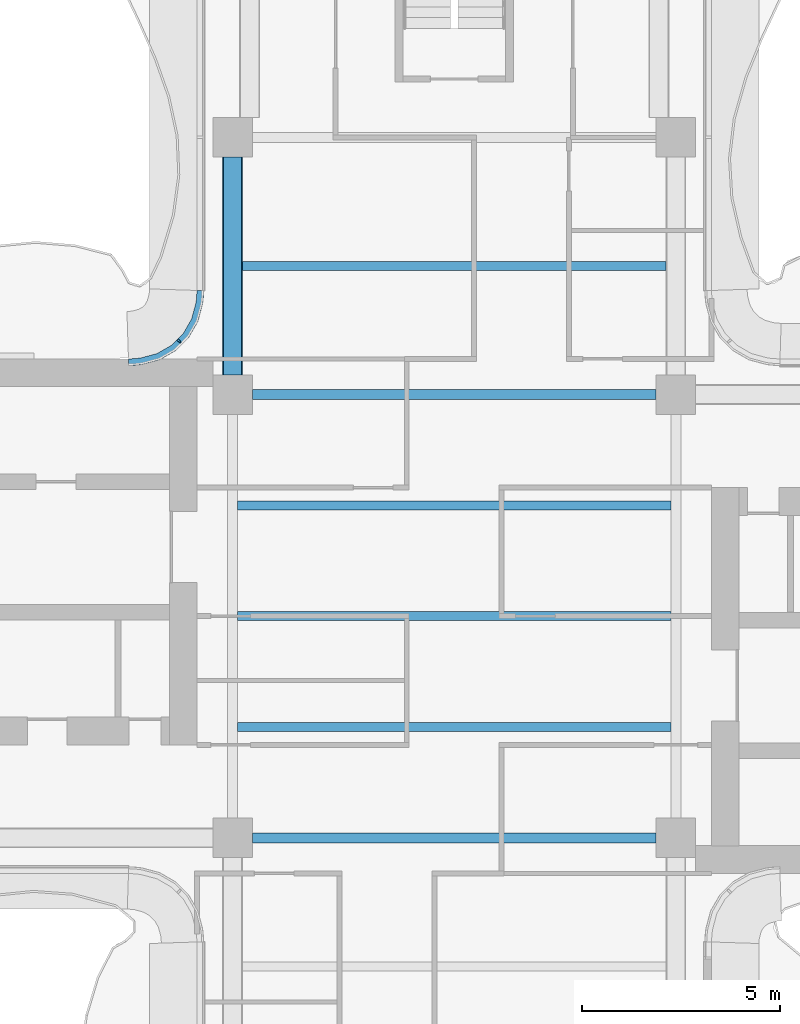
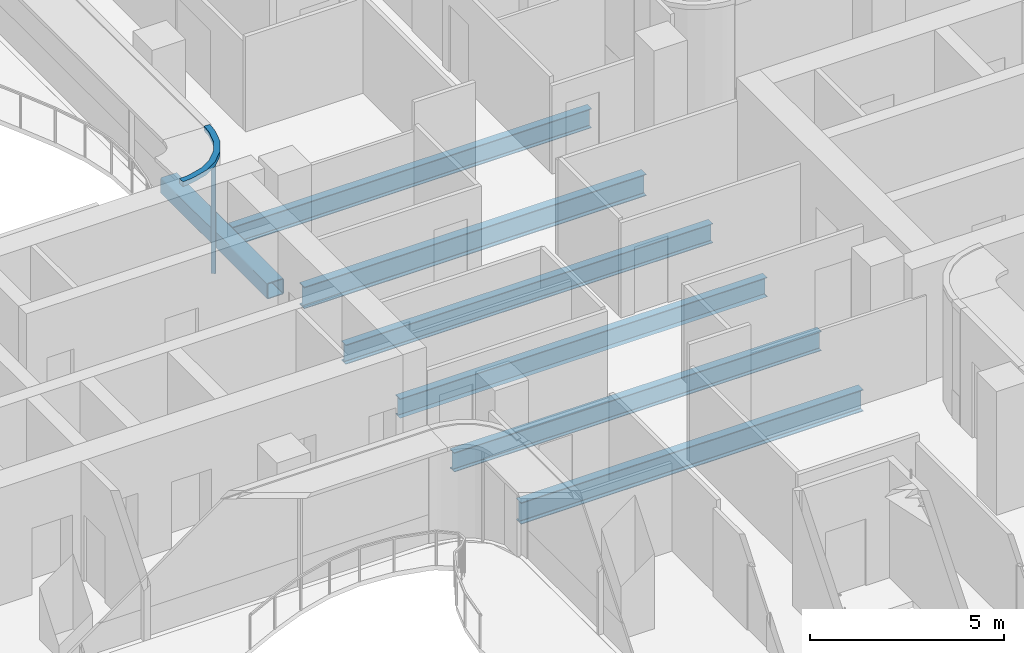
# One storey, part 4 of 17: 7 beams, 2 members, 1 element without a shape of its own.
"""IFC4 building model written with IfcOpenShell, lengths in metres."""

from ifc_helpers import new_model, si_unit, direction, frame, origin, origin_2d, place, context, subcontext, project, spatial, polyline, rectangle, hollow_rectangle, i_section, outline, extrude, source, transform, mapped, material, layer, layer_set, material_profile, profile_set, type_object, element, aggregate, save


model = new_model("IFC4")

# Units and contexts
model_context = context("Model", 3, precision=1e-05, world=origin(), true_north=direction((0.0, 1.0)))
body_context = subcontext(model_context, "Body", "Model", "MODEL_VIEW")
ifc_project = project(units=[si_unit("LENGTHUNIT", "METRE"), si_unit("AREAUNIT", "SQUARE_METRE"), si_unit("VOLUMEUNIT", "CUBIC_METRE"), si_unit("PLANEANGLEUNIT", "RADIAN"), si_unit("MASSUNIT", "GRAM", prefix="KILO")], contexts=[model_context])

# Site, building, storey
site_placement = place(None, origin())
site = spatial("IfcSite", under=ifc_project, at=site_placement, CompositionType="ELEMENT")
building_placement = place(site_placement, origin())
building = spatial("IfcBuilding", under=site, at=building_placement, Name="Trellis Farm Tower", CompositionType="ELEMENT")
storey_placement = place(building_placement, frame((0.0, 0.0, 279.39990234375)))
storey = spatial("IfcBuildingStorey", under=building, at=storey_placement, Name="L62", CompositionType="ELEMENT", Elevation=279.39990234375)

# Beams
ifc_material_1 = material(Name="Steel S355", Category="steel")
ifc_material_profile_1 = material_profile(ifc_material_1, i_section(OverallWidth=0.22900390625, OverallDepth=0.6123046875, WebThickness=0.011962890625, FlangeThickness=0.01953125, FilletRadius=0.0126953125, at=origin_2d()), Name="UB 610x229x125")
ifc_profile_set_1 = profile_set([ifc_material_profile_1], Name="Steel S355")
beam_type_1 = type_object("IfcBeamType", Name="UB 610x229x125 joist", PredefinedType="JOIST", material=ifc_profile_set_1)
shared_shape_1 = source(origin(), body_context, "Body", "SweptSolid", [
    extrude(i_section(OverallWidth=0.22900390625, OverallDepth=0.6123046875, WebThickness=0.011962890625, FlangeThickness=0.01953125, FilletRadius=0.0126953125, at=origin_2d()), origin(), (0.0, 0.0, 1.0), 10.9462890625),
])
for number, where, z_axis, x_axis, name in (
    (1, (-5.47314453125, -2.800048828125, -0.506103515625), (1.0, 0.0, 0.0), (0.0, 1.0, 0.0), "Floor beam"),
    (2, (-5.47314453125, 0.0, -0.506103515625), (1.0, 0.0, 0.0), (0.0, 1.0, 0.0), "Floor beam"),
    (3, (-5.47314453125, 2.800048828125, -0.506103515625), (1.0, 0.0, 0.0), (0.0, 1.0, 0.0), "Floor beam"),
):
    element("IfcBeam", number, at=place(storey_placement, frame(where, z_axis=z_axis, x_axis=x_axis)), inside=storey, type_object=beam_type_1, Name=name, PredefinedType="JOIST", context=body_context, shape_type="MappedRepresentation", body=[
        mapped(shared_shape_1, transform((0.0, 0.0, 0.0))),
    ])
shared_shape_2 = source(origin(), body_context, "Body", "SweptSolid", [
    extrude(i_section(OverallWidth=0.22900390625, OverallDepth=0.6123046875, WebThickness=0.011962890625, FlangeThickness=0.01953125, FilletRadius=0.0126953125, at=origin_2d()), origin(), (0.0, 0.0, 1.0), 10.7001953125),
])
beam_1_placement = place(storey_placement, frame((-5.35009765625, 8.85009765625, -0.506103515625), z_axis=(1.0, 0.0, 0.0), x_axis=(0.0, 1.0, 0.0)))
element("IfcBeam", 4, at=beam_1_placement, inside=storey, type_object=beam_type_1, Name="Floor beam", PredefinedType="JOIST", context=body_context, shape_type="MappedRepresentation", body=[
    mapped(shared_shape_2, transform((0.0, 0.0, 0.0))),
])
ifc_material_profile_2 = material_profile(ifc_material_1, hollow_rectangle(XDim=0.5, YDim=0.5, WallThickness=0.02490234375, InnerFilletRadius=0.02490234375, OuterFilletRadius=0.03759765625, at=origin_2d()), Name="SHS 500x500x25")
ifc_profile_set_2 = profile_set([ifc_material_profile_2], Name="Steel S355")
beam_type_2 = type_object("IfcBeamType", Name="SHS 500x500x25", PredefinedType="BEAM", material=ifc_profile_set_2)
shared_shape_3 = source(origin(), body_context, "Body", "SweptSolid", [
    extrude(hollow_rectangle(XDim=0.5, YDim=0.5, WallThickness=0.02490234375, InnerFilletRadius=0.02490234375, OuterFilletRadius=0.03759765625, at=origin_2d()), origin(), (0.0, 0.0, 1.0), 5.5),
])
beam_2_placement = place(storey_placement, frame((-5.60009765625, 6.10009765625, -0.449951171875), z_axis=(0.0, 1.0, 0.0), x_axis=(-1.0, 0.0, 0.0)))
element("IfcBeam", 5, at=beam_2_placement, inside=storey, type_object=beam_type_2, Name="Girder", PredefinedType="BEAM", context=body_context, shape_type="MappedRepresentation", body=[
    mapped(shared_shape_3, transform((0.0, 0.0, 0.0))),
])
ifc_material_profile_3 = material_profile(ifc_material_1, i_section(OverallWidth=0.253662109375, OverallDepth=0.68359375, WebThickness=0.012451171875, FlangeThickness=0.021728515625, FilletRadius=0.01513671875, at=origin_2d()), Name="UB 686x254x140")
ifc_profile_set_3 = profile_set([ifc_material_profile_3], Name="Steel S355")
beam_type_3 = type_object("IfcBeamType", Name="UB 686x254x140", PredefinedType="BEAM", material=ifc_profile_set_3)
shared_shape_4 = source(origin(), body_context, "Body", "SweptSolid", [
    extrude(i_section(OverallWidth=0.253662109375, OverallDepth=0.68359375, WebThickness=0.012451171875, FlangeThickness=0.021728515625, FilletRadius=0.01513671875, at=origin_2d()), origin(), (0.0, 0.0, 1.0), 10.2001953125),
])
for number, where, z_axis, x_axis, name in (
    (6, (-5.10009765625, -5.60009765625, -0.541748046875), (1.0, 0.0, 0.0), (0.0, 1.0, 0.0), "Girder"),
    (7, (-5.10009765625, 5.60009765625, -0.541748046875), (1.0, 0.0, 0.0), (0.0, 1.0, 0.0), "Girder"),
):
    element("IfcBeam", number, at=place(storey_placement, frame(where, z_axis=z_axis, x_axis=x_axis)), inside=storey, type_object=beam_type_3, Name=name, PredefinedType="BEAM", context=body_context, shape_type="MappedRepresentation", body=[
        mapped(shared_shape_4, transform((0.0, 0.0, 0.0))),
    ])

# Curtain wall, members
ifc_material_2 = material(Name="Aluminium and glass curtain wall", Category="aluminium")
ifc_layer_1 = layer(ifc_material_2, 0.166015625)
ifc_layer_set_1 = layer_set([ifc_layer_1], Name="WINTER GARDEN CURTAIN WALL CW3")
curtain_wall_type = type_object("IfcCurtainWallType", Name="WINTER GARDEN CURTAIN WALL CW3", PredefinedType="NOTDEFINED", material=ifc_layer_set_1)
curtain_wall_placement = place(storey_placement, origin())
curtain_wall = element("IfcCurtainWall", 8, at=curtain_wall_placement, inside=storey, type_object=curtain_wall_type, Name="CW3 004", PredefinedType="NOTDEFINED")
ifc_material_3 = material(Name="Aluminium extrusion 6063-T6", Category="aluminium")
ifc_material_profile_4 = material_profile(ifc_material_3, rectangle(XDim=0.050048828125, YDim=0.1201171875, at=origin_2d()), Name="MULLION 50x120")
ifc_profile_set_4 = profile_set([ifc_material_profile_4], Name="Aluminium extrusion 6063-T6")
member_type_1 = type_object("IfcMemberType", Name="CW3 MULLION 50x120", PredefinedType="MULLION", material=ifc_profile_set_4)
shared_shape_5 = source(origin(), body_context, "Body", "SweptSolid", [
    extrude(rectangle(XDim=0.050048828125, YDim=0.1201171875, at=origin_2d()), origin(), (0.0, 0.0, 1.0), 3.550048828125),
])
member_1_placement = place(storey_placement, frame((-6.953125, 6.953125, 0.0), z_axis=(0.0, 0.0, 1.0), x_axis=(-0.707106781187, -0.707106781187, 0.0)))
member_1 = element("IfcMember", 9, at=member_1_placement, type_object=member_type_1, Name="MU3 004-01", PredefinedType="MULLION", context=body_context, shape_type="MappedRepresentation", body=[
    mapped(shared_shape_5, transform((0.0, 0.0, 0.0))),
])
ifc_layer_2 = layer(ifc_material_3, 0.169921875)
ifc_layer_set_2 = layer_set([ifc_layer_2], Name="Aluminium extrusion 6063-T6")
member_type_2 = type_object("IfcMemberType", Name="CW3 TRANSOM 170x150", PredefinedType="USERDEFINED", material=ifc_layer_set_2)
shared_shape_6 = source(origin(), body_context, "Body", "SweptSolid", [
    extrude(outline(polyline([(-6.5, 8.2314453125), (-6.513916015625, 8.01953125), (-6.527587890625, 7.91552734375), (-6.63671875, 7.508544921875), (-6.846923828125, 7.144287109375), (-7.144287109375, 6.846923828125), (-7.508544921875, 6.63671875), (-7.91552734375, 6.527587890625), (-8.01953125, 6.513916015625), (-8.2314453125, 6.5), (-8.225830078125, 6.330078125), (-8.0029296875, 6.3447265625), (-7.88232421875, 6.360595703125), (-7.44287109375, 6.478271484375), (-7.0400390625, 6.7109375), (-6.7109375, 7.0400390625), (-6.478271484375, 7.44287109375), (-6.360595703125, 7.88232421875), (-6.3447265625, 8.0029296875), (-6.330078125, 8.225830078125), (-6.5, 8.2314453125)])), origin(), (0.0, 0.0, 1.0), 0.150146484375),
])
member_2_placement = place(storey_placement, frame((0.0, 0.0, 3.550048828125)))
member_2 = element("IfcMember", 10, at=member_2_placement, type_object=member_type_2, Name="TR3 004", ObjectType="TRANSOM", PredefinedType="USERDEFINED", context=body_context, shape_type="MappedRepresentation", body=[
    mapped(shared_shape_6, transform((0.0, 0.0, 0.0))),
])
aggregate(curtain_wall, [member_1, member_2])

save(model, "model.ifc")
